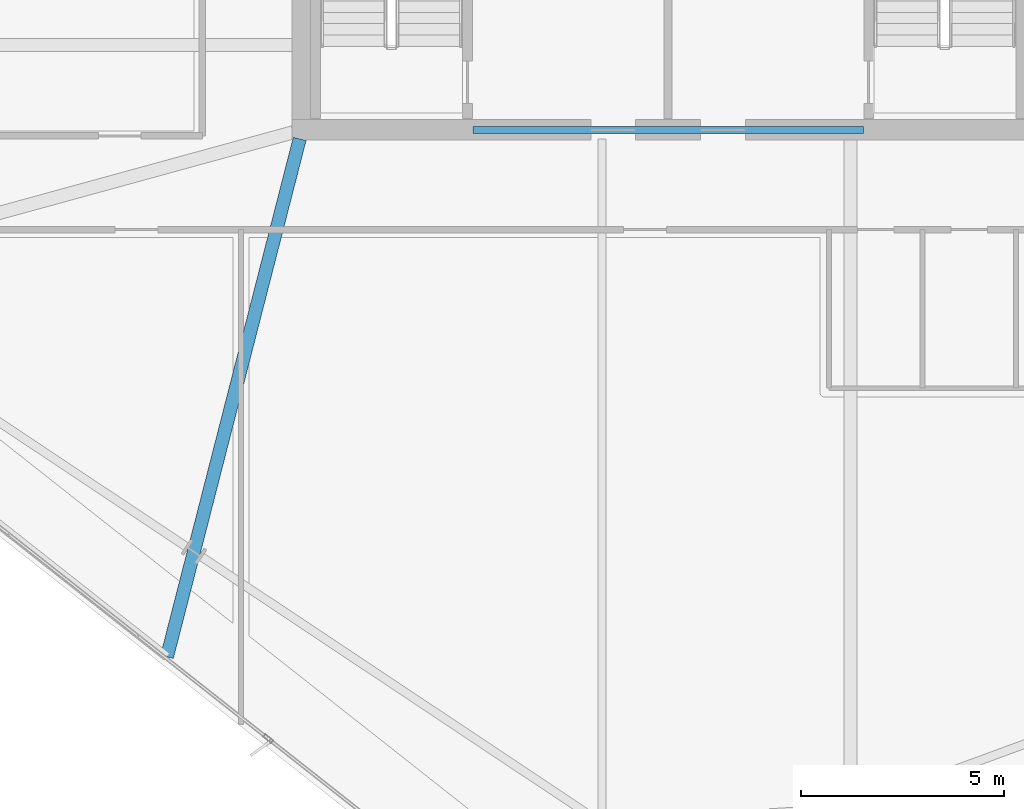
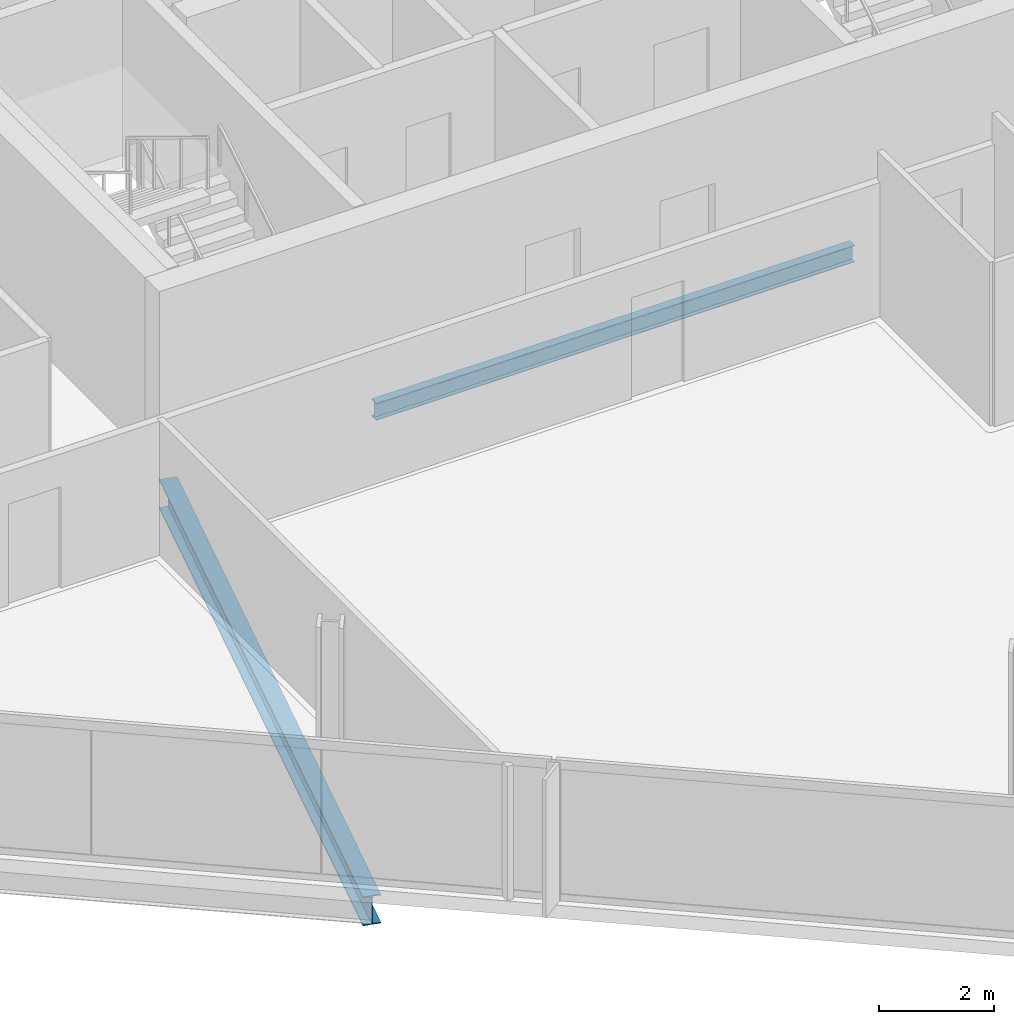
# One storey, part 7 of 28: 2 beams.
"""IFC4 building model written with IfcOpenShell, lengths in metres."""

from ifc_helpers import new_model, si_unit, direction, frame, origin, origin_2d, place, context, subcontext, project, spatial, i_section, extrude, material, material_profile, profile_set, type_object, element, save


model = new_model("IFC4")

# Units and contexts
model_context = context("Model", 3, precision=1e-05, world=origin(), true_north=direction((0.0, 1.0)))
body_context = subcontext(model_context, "Body", "Model", "MODEL_VIEW")
ifc_project = project(units=[si_unit("LENGTHUNIT", "METRE"), si_unit("AREAUNIT", "SQUARE_METRE"), si_unit("VOLUMEUNIT", "CUBIC_METRE"), si_unit("PLANEANGLEUNIT", "RADIAN"), si_unit("MASSUNIT", "GRAM", prefix="KILO")], contexts=[model_context])

# Site, building, storey
site_placement = place(None, origin())
site = spatial("IfcSite", under=ifc_project, at=site_placement, CompositionType="ELEMENT")
building_placement = place(site_placement, origin())
building = spatial("IfcBuilding", under=site, at=building_placement, Name="Haldenkirk Collegiate Tower", CompositionType="ELEMENT")
storey_placement = place(building_placement, frame((0.0, 0.0, 202.199951171875)))
storey = spatial("IfcBuildingStorey", under=building, at=storey_placement, Name="L50", CompositionType="ELEMENT", Elevation=202.199951171875)

# Beams
ifc_material = material(Name="Steel ASTM A992 Grade 50", Category="steel")
ifc_material_profile_1 = material_profile(ifc_material, i_section(OverallWidth=0.324951171875, OverallDepth=0.615966796875, WebThickness=0.013916015625, FlangeThickness=0.021484375, at=origin_2d()), Name="W24X117")
ifc_profile_set_1 = profile_set([ifc_material_profile_1], Name="Steel ASTM A992 Grade 50")
beam_type_1 = type_object("IfcBeamType", Name="BM-GIRDER-W24X117", PredefinedType="BEAM", material=ifc_profile_set_1)
beam_1_placement = place(storey_placement, frame((23.681396484375, 5.04833984375, -0.587890625), z_axis=(0.248210396038, 0.968706147033, 0.0), x_axis=(-0.968706147033, 0.248210396038, 0.0)))
element("IfcBeam", 1, at=beam_1_placement, inside=storey, type_object=beam_type_1, Name="L50 primary floor girder 15", PredefinedType="BEAM", context=body_context, shape_type="SweptSolid", body=[
    extrude(i_section(OverallWidth=0.324951171875, OverallDepth=0.615966796875, WebThickness=0.013916015625, FlangeThickness=0.021484375, at=origin_2d()), origin(), (0.0, 0.0, 1.0), 13.139892578125),
])
ifc_material_profile_2 = material_profile(ifc_material, i_section(OverallWidth=0.1708984375, OverallDepth=0.35595703125, WebThickness=0.007080078125, FlangeThickness=0.01171875, at=origin_2d()), Name="W14X34")
ifc_profile_set_2 = profile_set([ifc_material_profile_2], Name="Steel ASTM A992 Grade 50")
beam_type_2 = type_object("IfcBeamType", Name="BM-LINTEL-W14X34", PredefinedType="LINTEL", material=ifc_profile_set_2)
beam_2_placement = place(storey_placement, frame((31.199951171875, 18.0, -0.4580078125), z_axis=(1.0, 0.0, 0.0), x_axis=(0.0, 1.0, 0.0)))
element("IfcBeam", 2, at=beam_2_placement, inside=storey, type_object=beam_type_2, Name="L50 south core coupling lintel", PredefinedType="LINTEL", context=body_context, shape_type="SweptSolid", body=[
    extrude(i_section(OverallWidth=0.1708984375, OverallDepth=0.35595703125, WebThickness=0.007080078125, FlangeThickness=0.01171875, at=origin_2d()), origin(), (0.0, 0.0, 1.0), 9.60009765625),
])

save(model, "model.ifc")
